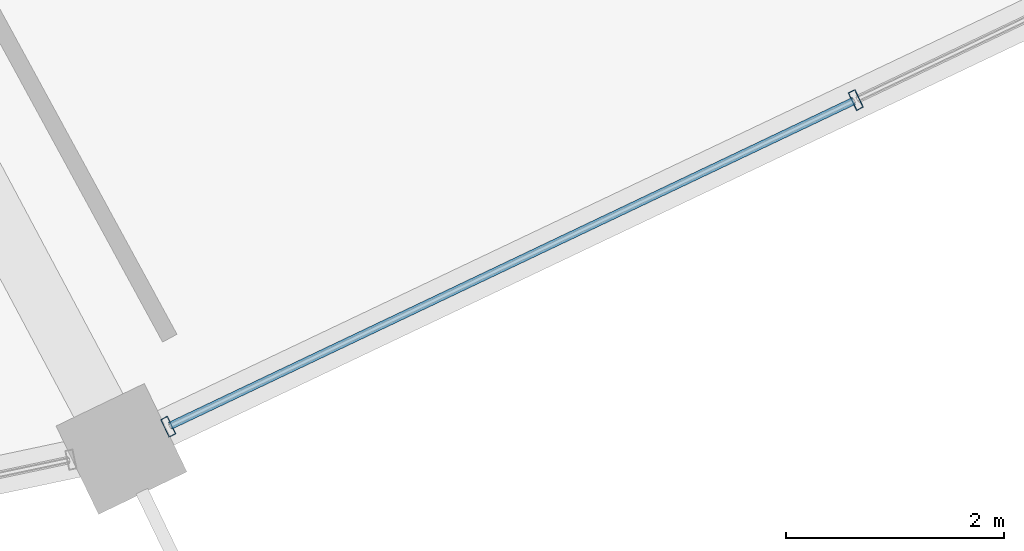
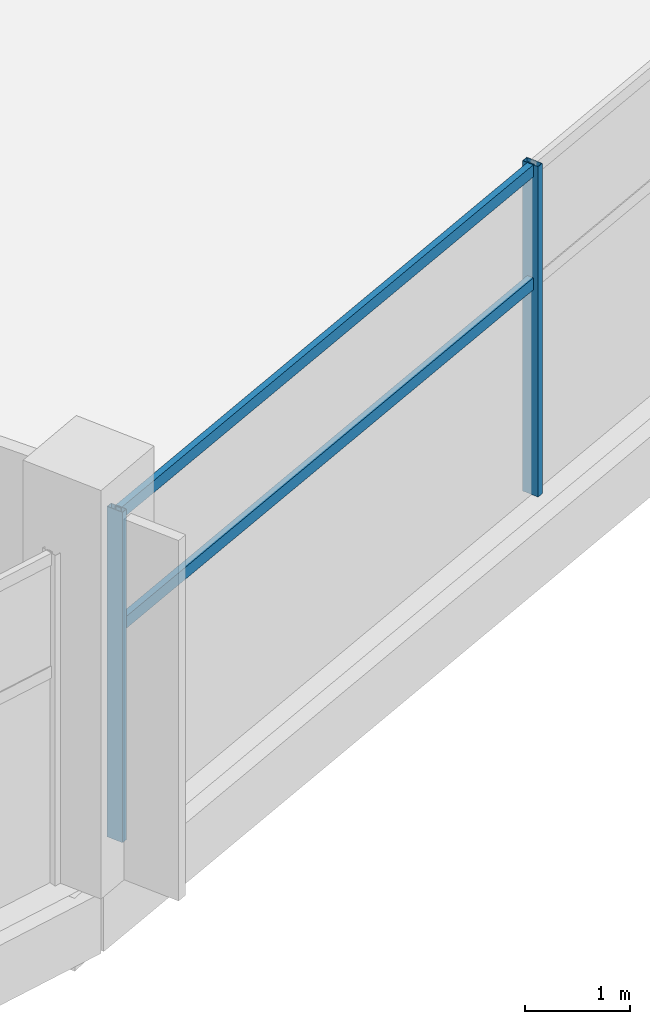
# One storey, part 43 of 156: 4 members, 1 element without a shape of its own.
"""IFC4 building model written with IfcOpenShell, lengths in metres."""

import ifcopenshell
import ifcopenshell.guid

model = None  # the IFC model being written
_history = None  # IfcOwnerHistory: only IFC2X3 demands one
_inside = {}  # id of a spatial element -> (the spatial element, [elements in it])
_under = {}  # id of a project, library or spatial element -> (it, [spatial elements below it])
_declared = {}  # id of a project -> (the project, [libraries it declares])
_typed = {}  # id of a type object -> (the type object, [elements of that type])
_made_of = {}  # id of a material, layer set ... -> (it, [elements and type objects made of it])


def new_model(schema):
    """Start an empty IFC model of exactly this schema.

    Asked for "IFC4X3", IfcOpenShell would pick the latest addendum, in which some entities
    have other attributes; the version numbers below select the first issue.
    IFC2X3 requires an IfcOwnerHistory on every rooted entity: one is made here for all.
    """
    global model, _history
    if schema == "IFC4X3":
        model = ifcopenshell.file(schema_version=(4, 3, 0, 0))
    else:
        model = ifcopenshell.file(schema=schema)
    _inside.clear()
    _under.clear()
    _declared.clear()
    _typed.clear()
    _made_of.clear()
    _history = None
    if model.schema == "IFC2X3":
        org = make("IfcOrganization", Name="unknown")
        user = make(
            "IfcPersonAndOrganization",
            ThePerson=make("IfcPerson", FamilyName="unknown"),
            TheOrganization=org,
        )
        app = make(
            "IfcApplication",
            ApplicationDeveloper=org,
            Version="unknown",
            ApplicationFullName="unknown",
            ApplicationIdentifier="unknown",
        )
        _history = make(
            "IfcOwnerHistory",
            OwningUser=user,
            OwningApplication=app,
            ChangeAction="ADDED",
            CreationDate=0,
        )
    return model


def make(cls, **values):
    """One entity of the class cls with the attributes given. An attribute that is None is left unset."""
    return model.create_entity(
        cls, **{name: value for name, value in values.items() if value is not None}
    )


def rooted(cls, **values):
    """An entity with a GlobalId (a new one), such as an element, a storey or a relation."""
    return make(cls, GlobalId=ifcopenshell.guid.new(), OwnerHistory=_history, **values)


def si_unit(unit_type, name, prefix=None):
    """IfcSIUnit, for example si_unit("LENGTHUNIT", "METRE", prefix="MILLI")."""
    return make("IfcSIUnit", UnitType=unit_type, Prefix=prefix, Name=name)


def assignment(units):
    """IfcUnitAssignment: the units of a project."""
    return None if units is None else make("IfcUnitAssignment", Units=units)


def point(xyz):
    """IfcCartesianPoint."""
    return None if xyz is None else make("IfcCartesianPoint", Coordinates=xyz)


def direction(xyz):
    """IfcDirection."""
    return None if xyz is None else make("IfcDirection", DirectionRatios=xyz)


def frame(location, z_axis=None, x_axis=None):
    """IfcAxis2Placement3D, a coordinate frame: its origin and axes. An axis left out is left unset."""
    return make(
        "IfcAxis2Placement3D",
        Location=point(location),
        Axis=direction(z_axis),
        RefDirection=direction(x_axis),
    )


def frame_2d(location, x_axis=None):
    """IfcAxis2Placement2D, a coordinate frame in the plane: its origin and x axis."""
    return make(
        "IfcAxis2Placement2D", Location=point(location), RefDirection=direction(x_axis)
    )


def origin():
    """The frame at (0, 0, 0) with its axes left unset."""
    return frame((0.0, 0.0, 0.0))


def origin_2d():
    """The frame at (0, 0) in the plane with its x axis left unset."""
    return frame_2d((0.0, 0.0))


def place(relative_to, where):
    """IfcLocalPlacement: puts the frame where relative to a parent placement (None: the world)."""
    return make(
        "IfcLocalPlacement", PlacementRelTo=relative_to, RelativePlacement=where
    )


def context(
    kind, dimensions, precision=None, world=None, true_north=None, identifier=None
):
    """IfcGeometricRepresentationContext, for example the 3D "Model" context."""
    return make(
        "IfcGeometricRepresentationContext",
        ContextIdentifier=identifier,
        ContextType=kind,
        CoordinateSpaceDimension=dimensions,
        Precision=precision,
        WorldCoordinateSystem=world,
        TrueNorth=true_north,
    )


def subcontext(parent, identifier, kind, view, scale=None):
    """IfcGeometricRepresentationSubContext, for example "Body" below "Model"."""
    return make(
        "IfcGeometricRepresentationSubContext",
        ContextIdentifier=identifier,
        ContextType=kind,
        ParentContext=parent,
        TargetScale=scale,
        TargetView=view,
    )


def project(units=None, contexts=None):
    """IfcProject with its units and contexts."""
    return rooted(
        "IfcProject",
        Name="project",
        RepresentationContexts=contexts,
        UnitsInContext=assignment(units),
    )


def spatial(cls, under=None, at=None, **own):
    """A site, building, storey or space (cls), placed at a placement, below another one or the project."""
    s = rooted(cls, ObjectPlacement=at, **own)
    if under is not None:
        _under.setdefault(under.id(), (under, []))[1].append(s)
    return s


def profile(cls, at=None, kind="AREA", **sizes):
    """A parametric profile (cls). Its sizes go by their IFC names, for example OverallWidth=200.0."""
    return make(cls, ProfileType=kind, Position=at, **sizes)


def hollow_rectangle(**sizes):
    """IfcRectangleHollowProfileDef."""
    return profile("IfcRectangleHollowProfileDef", **sizes)


def extrude(swept, where, along, depth):
    """IfcExtrudedAreaSolid: the profile swept, set in the frame where, extruded along a direction by depth."""
    return make(
        "IfcExtrudedAreaSolid",
        SweptArea=swept,
        Position=where,
        ExtrudedDirection=direction(along),
        Depth=depth,
    )


def shape(context_of_items, identifier, shape_type, items):
    """IfcShapeRepresentation: the items that make up one representation, for example the "Body"."""
    return make(
        "IfcShapeRepresentation",
        ContextOfItems=context_of_items,
        RepresentationIdentifier=identifier,
        RepresentationType=shape_type,
        Items=items,
    )


def material(Name=None, Category=None):
    """IfcMaterial."""
    return make("IfcMaterial", Name=Name, Category=Category)


def layer(
    of_material, thickness, ventilated=None, Name=None, Category=None, Priority=None
):
    """IfcMaterialLayer: one layer of a wall or slab, of a material (None: an air gap)."""
    return make(
        "IfcMaterialLayer",
        Material=of_material,
        LayerThickness=thickness,
        IsVentilated=ventilated,
        Name=Name,
        Category=Category,
        Priority=Priority,
    )


def layer_set(layers, Name=None):
    """IfcMaterialLayerSet."""
    return make("IfcMaterialLayerSet", MaterialLayers=layers, LayerSetName=Name)


def material_profile(
    of_material, cross_section, Name=None, Category=None, Priority=None
):
    """IfcMaterialProfile: a cross section and its material."""
    return make(
        "IfcMaterialProfile",
        Name=Name,
        Material=of_material,
        Profile=cross_section,
        Priority=Priority,
        Category=Category,
    )


def profile_set(profiles, Name=None, composite=None):
    """IfcMaterialProfileSet."""
    return make(
        "IfcMaterialProfileSet",
        Name=Name,
        MaterialProfiles=profiles,
        CompositeProfile=composite,
    )


def made_of(thing, what):
    """Note that an element or type object is made of a material, layer set ...; save() writes the relation."""
    if what is not None:
        _made_of.setdefault(what.id(), (what, []))[1].append(thing)
    return thing


def type_object(cls, material=None, **own):
    """A type object (cls), such as IfcWallType, which elements share."""
    return made_of(rooted(cls, **own), material)


def element(
    cls,
    number,
    at=None,
    inside=None,
    cuts=None,
    type_object=None,
    material=None,
    context=None,
    identifier="Body",
    shape_type=None,
    held_by="IfcProductDefinitionShape",
    body=None,
    shapes=None,
    **own,
):
    """One element of the class cls, such as IfcWall. Its Tag is "e" and its number.

    at: its placement. inside: the storey or other place that contains it. cuts: it is an
    opening in that element (IfcRelVoidsElement). A single representation is given by context,
    identifier, shape_type and body (its items); several are given by shapes. held_by: the class
    of the entity that holds the representations. save() writes the other relations.
    """
    e = rooted(cls, Tag="e%d" % number, ObjectPlacement=at, **own)
    if body is not None:
        shapes = [shape(context, identifier, shape_type, body)]
    if shapes is not None:
        e.Representation = make(held_by, Representations=shapes)
    if inside is not None:
        _inside.setdefault(inside.id(), (inside, []))[1].append(e)
    if cuts is not None:
        rooted(
            "IfcRelVoidsElement", RelatingBuildingElement=cuts, RelatedOpeningElement=e
        )
    if type_object is not None:
        _typed.setdefault(type_object.id(), (type_object, []))[1].append(e)
    return made_of(e, material)


def aggregate(whole, parts):
    """IfcRelAggregates: a whole, such as a stair, and the parts it consists of."""
    return rooted("IfcRelAggregates", RelatingObject=whole, RelatedObjects=parts)


def save(model, path):
    """Write the relations noted so far, then the file.

    IfcRelAggregates (storeys below a building ...), IfcRelContainedInSpatialStructure (elements
    in a storey), IfcRelDefinesByType, IfcRelAssociatesMaterial and IfcRelDeclares: one each for
    every whole, place, type object, material and project.
    """
    for whole, parts in _under.values():
        aggregate(whole, parts)
    for where, things in _inside.values():
        rooted(
            "IfcRelContainedInSpatialStructure",
            RelatedElements=things,
            RelatingStructure=where,
        )
    for kind, things in _typed.values():
        rooted("IfcRelDefinesByType", RelatedObjects=things, RelatingType=kind)
    for what, things in _made_of.values():
        rooted("IfcRelAssociatesMaterial", RelatedObjects=things, RelatingMaterial=what)
    for by, libraries in _declared.values():
        rooted("IfcRelDeclares", RelatingContext=by, RelatedDefinitions=libraries)
    model.write(path)


model = new_model("IFC4")

# Units and contexts
model_context = context("Model", 3, precision=1e-05, world=origin(), true_north=direction((0.0, 1.0)))
body_context = subcontext(model_context, "Body", "Model", "MODEL_VIEW")
ifc_project = project(units=[si_unit("LENGTHUNIT", "METRE"), si_unit("AREAUNIT", "SQUARE_METRE"), si_unit("VOLUMEUNIT", "CUBIC_METRE"), si_unit("PLANEANGLEUNIT", "RADIAN"), si_unit("MASSUNIT", "GRAM", prefix="KILO")], contexts=[model_context])

# Site, building, storey
site_placement = place(None, origin())
site = spatial("IfcSite", under=ifc_project, at=site_placement, CompositionType="ELEMENT")
building_placement = place(site_placement, origin())
building = spatial("IfcBuilding", under=site, at=building_placement, Name="Kazemori Nagisa Stadium", CompositionType="ELEMENT")
storey_placement = place(building_placement, frame((0.0, 0.0, 5.780029296875)))
storey = spatial("IfcBuildingStorey", under=building, at=storey_placement, Name="L01", CompositionType="ELEMENT", Elevation=5.780029296875)

# Curtain wall, members
ifc_material_1 = material(Name="Anodised aluminium 6063-T5", Category="aluminium")
ifc_layer = layer(ifc_material_1, 0.179931640625, Name="Anodised aluminium 6063-T5", Category="aluminium")
ifc_layer_set = layer_set([ifc_layer], Name="Anodised aluminium 6063-T5")
curtain_wall_type = type_object("IfcCurtainWallType", Name="CW_L01R3_105", PredefinedType="USERDEFINED", material=ifc_layer_set)
curtain_wall_placement = place(storey_placement, origin())
curtain_wall = element("IfcCurtainWall", 1, at=curtain_wall_placement, inside=storey, type_object=curtain_wall_type, Name="Unitised curtain wall CW-L01R3-105 L01", ObjectType="UNITISED CURTAIN WALL", PredefinedType="USERDEFINED")
ifc_material_2 = material(Name="Aluminium 6063-T5 anodised", Category="aluminium")
ifc_material_profile_1 = material_profile(ifc_material_2, hollow_rectangle(XDim=0.070068359375, YDim=0.179931640625, WallThickness=0.00390625, at=origin_2d()), Name="ALU-MULL-70x180x4")
ifc_profile_set_1 = profile_set([ifc_material_profile_1], Name="Aluminium 6063-T5 anodised")
member_type_1 = type_object("IfcMemberType", Name="Mullion_M01", PredefinedType="MULLION", material=ifc_profile_set_1)
member_1_placement = place(storey_placement, frame((166.233642578125, 21.739501953125, 0.0), z_axis=(0.0, 0.0, 1.0), x_axis=(0.903215892654, 0.429186499388, 0.0)))
member_1 = element("IfcMember", 2, at=member_1_placement, type_object=member_type_1, Name="Curtain wall mullion CW-L01R3-105-M1", PredefinedType="MULLION", context=body_context, shape_type="SweptSolid", body=[
    extrude(hollow_rectangle(XDim=0.070068359375, YDim=0.179931640625, WallThickness=0.00390625, at=origin_2d()), origin(), (0.0, 0.0, 1.0), 3.849853515625),
])
member_2_placement = place(storey_placement, frame((172.54541015625, 24.73876953125, 0.0), z_axis=(0.0, 0.0, 1.0), x_axis=(0.903215892654, 0.429186499388, 0.0)))
member_2 = element("IfcMember", 3, at=member_2_placement, type_object=member_type_1, Name="Curtain wall mullion CW-L01R3-105-M2", PredefinedType="MULLION", context=body_context, shape_type="SweptSolid", body=[
    extrude(hollow_rectangle(XDim=0.070068359375, YDim=0.179931640625, WallThickness=0.00390625, at=origin_2d()), origin(), (0.0, 0.0, 1.0), 3.849853515625),
])
ifc_material_profile_2 = material_profile(ifc_material_2, hollow_rectangle(XDim=0.070068359375, YDim=0.139892578125, WallThickness=0.00390625, at=origin_2d()), Name="ALU-TRAN-70x140x4")
ifc_profile_set_2 = profile_set([ifc_material_profile_2], Name="Aluminium 6063-T5 anodised")
member_type_2 = type_object("IfcMemberType", Name="Transom_T01", PredefinedType="USERDEFINED", material=ifc_profile_set_2)
member_3_placement = place(storey_placement, frame((166.251708984375, 21.748291015625, 2.4638671875), z_axis=(0.903221322461, 0.429175072264, 0.0), x_axis=(-0.429175072264, 0.903221322461, 0.0)))
member_3 = element("IfcMember", 4, at=member_3_placement, type_object=member_type_2, Name="Curtain wall transom CW-L01R3-105-T1-mid", ObjectType="TRANSOM", PredefinedType="USERDEFINED", context=body_context, shape_type="SweptSolid", body=[
    extrude(hollow_rectangle(XDim=0.070068359375, YDim=0.139892578125, WallThickness=0.00390625, at=origin_2d()), origin(), (0.0, 0.0, 1.0), 6.947998046875),
])
member_4_placement = place(storey_placement, frame((166.251708984375, 21.748291015625, 3.780029296875), z_axis=(0.903221322461, 0.429175072264, 0.0), x_axis=(-0.429175072264, 0.903221322461, 0.0)))
member_4 = element("IfcMember", 5, at=member_4_placement, type_object=member_type_2, Name="Curtain wall transom CW-L01R3-105-T1-head", ObjectType="TRANSOM", PredefinedType="USERDEFINED", context=body_context, shape_type="SweptSolid", body=[
    extrude(hollow_rectangle(XDim=0.070068359375, YDim=0.139892578125, WallThickness=0.00390625, at=origin_2d()), origin(), (0.0, 0.0, 1.0), 6.947998046875),
])
aggregate(curtain_wall, [member_1, member_2, member_3, member_4])

save(model, "model.ifc")
